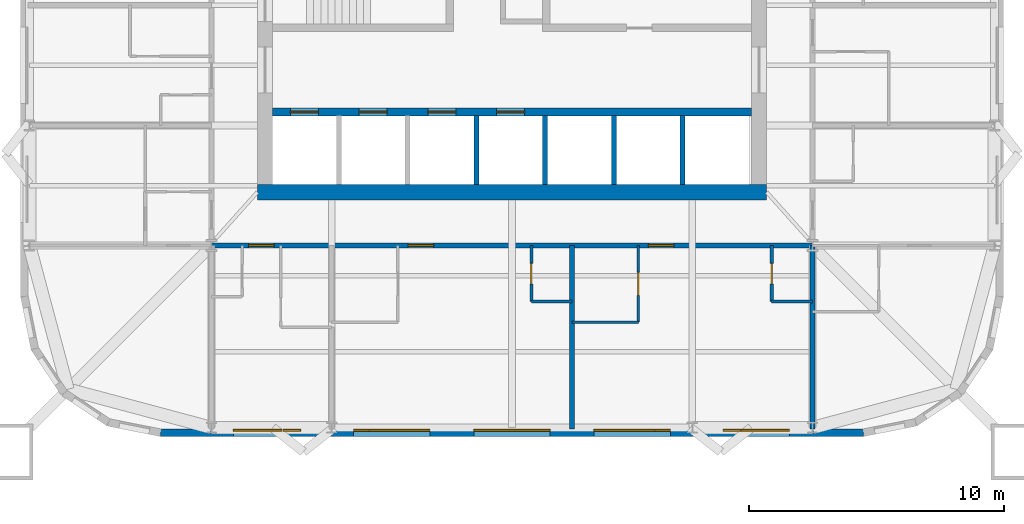
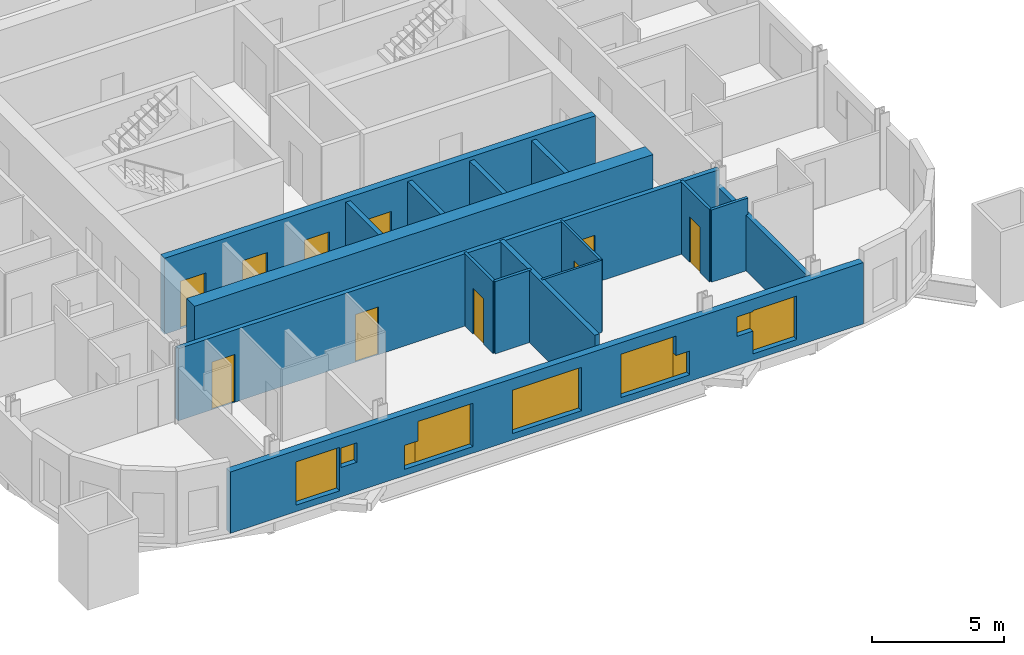
# One storey, part 3 of 10: 16 walls, 10 doors, 9 windows, 19 openings.
"""IFC4 building model written with IfcOpenShell, lengths in metres."""

from ifc_helpers import new_model, si_unit, direction, frame, frame_2d, origin, place, context, subcontext, project, spatial, rectangle, extrude, material, layer, layer_set, type_object, element, fill, save


model = new_model("IFC4")

# Units and contexts
model_context = context("Model", 3, precision=1e-05, world=origin(), true_north=direction((0.0, 1.0)))
body_context = subcontext(model_context, "Body", "Model", "MODEL_VIEW")
ifc_project = project(units=[si_unit("LENGTHUNIT", "METRE"), si_unit("AREAUNIT", "SQUARE_METRE"), si_unit("VOLUMEUNIT", "CUBIC_METRE"), si_unit("PLANEANGLEUNIT", "RADIAN"), si_unit("MASSUNIT", "GRAM", prefix="KILO")], contexts=[model_context])

# Site, building, storey
site_placement = place(None, origin())
site = spatial("IfcSite", under=ifc_project, at=site_placement, CompositionType="ELEMENT")
building_placement = place(site_placement, origin())
building = spatial("IfcBuilding", under=site, at=building_placement, Name="Turquesa Mirador Hotel Tower", CompositionType="ELEMENT")
storey_placement = place(building_placement, frame((0.0, 0.0, 179.300048828125)))
storey = spatial("IfcBuildingStorey", under=building, at=storey_placement, Name="L48", CompositionType="ELEMENT", Elevation=179.300048828125)

# Wall
ifc_material_1 = material(Name="Gypsum board on steel studs", Category="steel")
ifc_layer_1 = layer(ifc_material_1, 0.10009765625)
ifc_layer_set_1 = layer_set([ifc_layer_1], Name="BATHROOM WALL 100")
wall_type_1 = type_object("IfcWallType", Name="BATHROOM WALL 100", PredefinedType="PARTITIONING", material=ifc_layer_set_1)
wall_1_placement = place(storey_placement, frame((57.360107421875, 30.199951171875, 0.0), z_axis=(0.0, 0.0, 1.0), x_axis=(1.0, 0.0, 0.0)))
element("IfcWall", 1, at=wall_1_placement, inside=storey, type_object=wall_type_1, Name="Partition L48 012", PredefinedType="PARTITIONING", context=body_context, shape_type="SweptSolid", body=[
    extrude(rectangle(XDim=2.599853515625, YDim=0.10009765625, at=frame_2d((1.2998046875, 0.0))), origin(), (0.0, 0.0, 1.0), 3.329833984375),
])

# Wall, opening, door
wall_2_placement = place(storey_placement, frame((59.9599609375, 30.199951171875, 0.0), z_axis=(0.0, 0.0, 1.0), x_axis=(0.0, 1.0, 0.0)))
wall_2 = element("IfcWall", 2, at=wall_2_placement, inside=storey, type_object=wall_type_1, Name="Partition L48 088", PredefinedType="PARTITIONING", context=body_context, shape_type="SweptSolid", body=[
    extrude(rectangle(XDim=3.0, YDim=0.10009765625, at=frame_2d((1.5, 0.0))), origin(), (0.0, 0.0, 1.0), 3.329833984375),
])
opening_1_placement = place(wall_2_placement, frame((1.050048828125, 0.0, 0.0)))
opening_1 = element("IfcOpeningElement", 3, at=opening_1_placement, cuts=wall_2, Name="Opening D02", PredefinedType="OPENING", context=body_context, shape_type="SweptSolid", body=[
    extrude(rectangle(XDim=0.89990234375, YDim=2.10009765625, at=frame_2d((0.449951171875, 1.050048828125))), frame((0.0, 0.06005859375, 0.0), z_axis=(0.0, -1.0, 0.0), x_axis=(1.0, 0.0, 0.0)), (0.0, 0.0, 1.0), 0.1201171875),
])
ifc_material_2 = material(Name="Timber veneered door", Category="wood")
door_type_1 = type_object("IfcDoorType", Name="DOOR 900X2100 EN-SUITE", OperationType="SINGLE_SWING_RIGHT", PredefinedType="DOOR", material=ifc_material_2)
door_1_placement = place(opening_1_placement, origin())
door_1 = element("IfcDoor", 4, at=door_1_placement, inside=storey, type_object=door_type_1, Name="Door 4808B", OperationType="SINGLE_SWING_RIGHT", OverallHeight=2.10009765625, OverallWidth=0.89990234375, PredefinedType="DOOR", context=body_context, shape_type="SweptSolid", body=[
    extrude(rectangle(XDim=0.89990234375, YDim=2.10009765625, at=frame_2d((0.449951171875, 1.050048828125))), frame((0.0, 0.02490234375, 0.0), z_axis=(0.0, -1.0, 0.0), x_axis=(1.0, 0.0, 0.0)), (0.0, 0.0, 1.0), 0.050048828125),
])
fill(opening_1, door_1)

# Wall, openings, doors
ifc_material_3 = material(Name="Concrete C50/60", Category="concrete")
ifc_layer_2 = layer(ifc_material_3, 0.300048828125)
ifc_layer_set_2 = layer_set([ifc_layer_2], Name="CORE INNER WALL 300")
wall_type_2 = type_object("IfcWallType", Name="CORE INNER WALL 300", PredefinedType="SHEAR", material=ifc_layer_set_2)
wall_3_placement = place(storey_placement, frame((45.60009765625, 38.449951171875, 0.0), z_axis=(0.0, 0.0, 1.0), x_axis=(1.0, 0.0, 0.0)))
wall_3 = element("IfcWall", 5, at=wall_3_placement, inside=storey, type_object=wall_type_2, Name="Core wall SL", PredefinedType="SHEAR", context=body_context, shape_type="SweptSolid", body=[
    extrude(rectangle(XDim=18.7998046875, YDim=0.300048828125, at=frame_2d((9.39990234375, 0.0))), origin(), (0.0, 0.0, 1.0), 3.5),
])
opening_2_placement = place(wall_3_placement, frame((0.699951171875, 0.0, 0.0)))
opening_2 = element("IfcOpeningElement", 6, at=opening_2_placement, cuts=wall_3, Name="Opening LD", PredefinedType="OPENING", context=body_context, shape_type="SweptSolid", body=[
    extrude(rectangle(XDim=1.10009765625, YDim=2.199951171875, at=frame_2d((0.550048828125, 1.10009765625))), frame((0.0, 0.159912109375, 0.0), z_axis=(0.0, -1.0, 0.0), x_axis=(1.0, 0.0, 0.0)), (0.0, 0.0, 1.0), 0.320068359375),
])
opening_3_placement = place(wall_3_placement, frame((3.39990234375, 0.0, 0.0)))
opening_3 = element("IfcOpeningElement", 7, at=opening_3_placement, cuts=wall_3, Name="Opening LD", PredefinedType="OPENING", context=body_context, shape_type="SweptSolid", body=[
    extrude(rectangle(XDim=1.10009765625, YDim=2.199951171875, at=frame_2d((0.550048828125, 1.10009765625))), frame((0.0, 0.159912109375, 0.0), z_axis=(0.0, -1.0, 0.0), x_axis=(1.0, 0.0, 0.0)), (0.0, 0.0, 1.0), 0.320068359375),
])
opening_4_placement = place(wall_3_placement, frame((6.10009765625, 0.0, 0.0)))
opening_4 = element("IfcOpeningElement", 8, at=opening_4_placement, cuts=wall_3, Name="Opening LD", PredefinedType="OPENING", context=body_context, shape_type="SweptSolid", body=[
    extrude(rectangle(XDim=1.10009765625, YDim=2.199951171875, at=frame_2d((0.550048828125, 1.10009765625))), frame((0.0, 0.159912109375, 0.0), z_axis=(0.0, -1.0, 0.0), x_axis=(1.0, 0.0, 0.0)), (0.0, 0.0, 1.0), 0.320068359375),
])
opening_5_placement = place(wall_3_placement, frame((8.800048828125, 0.0, 0.0)))
opening_5 = element("IfcOpeningElement", 9, at=opening_5_placement, cuts=wall_3, Name="Opening LD", PredefinedType="OPENING", context=body_context, shape_type="SweptSolid", body=[
    extrude(rectangle(XDim=1.10009765625, YDim=2.199951171875, at=frame_2d((0.550048828125, 1.10009765625))), frame((0.0, 0.159912109375, 0.0), z_axis=(0.0, -1.0, 0.0), x_axis=(1.0, 0.0, 0.0)), (0.0, 0.0, 1.0), 0.320068359375),
])
ifc_material_4 = material(Name="Stainless steel lift landing door", Category="steel")
door_type_2 = type_object("IfcDoorType", Name="LIFT LANDING DOOR 1100X2200", OperationType="SLIDING_TO_LEFT", PredefinedType="DOOR", material=ifc_material_4)
door_2_placement = place(opening_2_placement, origin())
door_2 = element("IfcDoor", 10, at=door_2_placement, inside=storey, type_object=door_type_2, Name="Lift B1 landing door", OperationType="SLIDING_TO_LEFT", OverallHeight=2.199951171875, OverallWidth=1.10009765625, PredefinedType="DOOR", context=body_context, shape_type="SweptSolid", body=[
    extrude(rectangle(XDim=1.10009765625, YDim=2.199951171875, at=frame_2d((0.550048828125, 1.10009765625))), frame((0.0, 0.02490234375, 0.0), z_axis=(0.0, -1.0, 0.0), x_axis=(1.0, 0.0, 0.0)), (0.0, 0.0, 1.0), 0.050048828125),
])
fill(opening_2, door_2)
door_3_placement = place(opening_3_placement, origin())
door_3 = element("IfcDoor", 11, at=door_3_placement, inside=storey, type_object=door_type_2, Name="Lift B2 landing door", OperationType="SLIDING_TO_LEFT", OverallHeight=2.199951171875, OverallWidth=1.10009765625, PredefinedType="DOOR", context=body_context, shape_type="SweptSolid", body=[
    extrude(rectangle(XDim=1.10009765625, YDim=2.199951171875, at=frame_2d((0.550048828125, 1.10009765625))), frame((0.0, 0.02490234375, 0.0), z_axis=(0.0, -1.0, 0.0), x_axis=(1.0, 0.0, 0.0)), (0.0, 0.0, 1.0), 0.050048828125),
])
fill(opening_3, door_3)
door_4_placement = place(opening_4_placement, origin())
door_4 = element("IfcDoor", 12, at=door_4_placement, inside=storey, type_object=door_type_2, Name="Lift B3 landing door", OperationType="SLIDING_TO_LEFT", OverallHeight=2.199951171875, OverallWidth=1.10009765625, PredefinedType="DOOR", context=body_context, shape_type="SweptSolid", body=[
    extrude(rectangle(XDim=1.10009765625, YDim=2.199951171875, at=frame_2d((0.550048828125, 1.10009765625))), frame((0.0, 0.02490234375, 0.0), z_axis=(0.0, -1.0, 0.0), x_axis=(1.0, 0.0, 0.0)), (0.0, 0.0, 1.0), 0.050048828125),
])
fill(opening_4, door_4)
door_5_placement = place(opening_5_placement, origin())
door_5 = element("IfcDoor", 13, at=door_5_placement, inside=storey, type_object=door_type_2, Name="Lift B4 landing door", OperationType="SLIDING_TO_LEFT", OverallHeight=2.199951171875, OverallWidth=1.10009765625, PredefinedType="DOOR", context=body_context, shape_type="SweptSolid", body=[
    extrude(rectangle(XDim=1.10009765625, YDim=2.199951171875, at=frame_2d((0.550048828125, 1.10009765625))), frame((0.0, 0.02490234375, 0.0), z_axis=(0.0, -1.0, 0.0), x_axis=(1.0, 0.0, 0.0)), (0.0, 0.0, 1.0), 0.050048828125),
])
fill(opening_5, door_5)

# Wall
ifc_material_5 = material(Name="Concrete C50/60", Category="concrete")
ifc_layer_3 = layer(ifc_material_5, 0.60009765625)
ifc_layer_set_3 = layer_set([ifc_layer_3], Name="CORE WALL 600")
wall_type_3 = type_object("IfcWallType", Name="CORE WALL 600", PredefinedType="SHEAR", material=ifc_layer_set_3)
wall_4_placement = place(storey_placement, frame((45.0, 35.300048828125, 0.0), z_axis=(0.0, 0.0, 1.0), x_axis=(1.0, 0.0, 0.0)))
element("IfcWall", 14, at=wall_4_placement, inside=storey, type_object=wall_type_3, Name="Core wall S", PredefinedType="SHEAR", context=body_context, shape_type="SweptSolid", body=[
    extrude(rectangle(XDim=20.0, YDim=0.60009765625, at=frame_2d((10.0, 0.0))), origin(), (0.0, 0.0, 1.0), 3.5),
])

# Wall, openings, doors
ifc_material_6 = material(Name="Fire-rated gypsum board on steel studs", Category="steel")
ifc_layer_4 = layer(ifc_material_6, 0.199951171875)
ifc_layer_set_4 = layer_set([ifc_layer_4], Name="CORRIDOR WALL 200")
wall_type_4 = type_object("IfcWallType", Name="CORRIDOR WALL 200", PredefinedType="PARTITIONING", material=ifc_layer_set_4)
wall_5_placement = place(storey_placement, frame((43.199951171875, 33.199951171875, 0.0), z_axis=(0.0, 0.0, 1.0), x_axis=(1.0, 0.0, 0.0)))
wall_5 = element("IfcWall", 15, at=wall_5_placement, inside=storey, type_object=wall_type_4, Name="Partition L48 004", PredefinedType="PARTITIONING", context=body_context, shape_type="SweptSolid", body=[
    extrude(rectangle(XDim=23.60009765625, YDim=0.199951171875, at=frame_2d((11.800048828125, 0.0))), origin(), (0.0, 0.0, 1.0), 3.329833984375),
])
opening_6_placement = place(wall_5_placement, frame((1.4599609375, 0.0, 0.0)))
opening_6 = element("IfcOpeningElement", 16, at=opening_6_placement, cuts=wall_5, Name="Opening D01", PredefinedType="OPENING", context=body_context, shape_type="SweptSolid", body=[
    extrude(rectangle(XDim=1.0, YDim=2.199951171875, at=frame_2d((0.5, 1.10009765625))), frame((0.0, 0.10986328125, 0.0), z_axis=(0.0, -1.0, 0.0), x_axis=(1.0, 0.0, 0.0)), (0.0, 0.0, 1.0), 0.219970703125),
])
opening_7_placement = place(wall_5_placement, frame((7.719970703125, 0.0, 0.0)))
opening_7 = element("IfcOpeningElement", 17, at=opening_7_placement, cuts=wall_5, Name="Opening D01", PredefinedType="OPENING", context=body_context, shape_type="SweptSolid", body=[
    extrude(rectangle(XDim=1.0, YDim=2.199951171875, at=frame_2d((0.5, 1.10009765625))), frame((0.0, 0.10986328125, 0.0), z_axis=(0.0, -1.0, 0.0), x_axis=(1.0, 0.0, 0.0)), (0.0, 0.0, 1.0), 0.219970703125),
])
opening_8_placement = place(wall_5_placement, frame((17.159912109375, 0.0, 0.0)))
opening_8 = element("IfcOpeningElement", 18, at=opening_8_placement, cuts=wall_5, Name="Opening D01", PredefinedType="OPENING", context=body_context, shape_type="SweptSolid", body=[
    extrude(rectangle(XDim=1.0, YDim=2.199951171875, at=frame_2d((0.5, 1.10009765625))), frame((0.0, 0.10986328125, 0.0), z_axis=(0.0, -1.0, 0.0), x_axis=(1.0, 0.0, 0.0)), (0.0, 0.0, 1.0), 0.219970703125),
])
ifc_material_7 = material(Name="Timber veneered fire door", Category="wood")
door_type_3 = type_object("IfcDoorType", Name="DOOR 1000X2200 GUEST ENTRY", OperationType="SINGLE_SWING_LEFT", PredefinedType="DOOR", material=ifc_material_7)
door_6_placement = place(opening_6_placement, origin())
door_6 = element("IfcDoor", 19, at=door_6_placement, inside=storey, type_object=door_type_3, Name="Door 4806", OperationType="SINGLE_SWING_LEFT", OverallHeight=2.199951171875, OverallWidth=1.0, PredefinedType="DOOR", context=body_context, shape_type="SweptSolid", body=[
    extrude(rectangle(XDim=1.0, YDim=2.199951171875, at=frame_2d((0.5, 1.10009765625))), frame((0.0, 0.02490234375, 0.0), z_axis=(0.0, -1.0, 0.0), x_axis=(1.0, 0.0, 0.0)), (0.0, 0.0, 1.0), 0.050048828125),
])
fill(opening_6, door_6)
door_7_placement = place(opening_7_placement, origin())
door_7 = element("IfcDoor", 20, at=door_7_placement, inside=storey, type_object=door_type_3, Name="Door 4807", OperationType="SINGLE_SWING_LEFT", OverallHeight=2.199951171875, OverallWidth=1.0, PredefinedType="DOOR", context=body_context, shape_type="SweptSolid", body=[
    extrude(rectangle(XDim=1.0, YDim=2.199951171875, at=frame_2d((0.5, 1.10009765625))), frame((0.0, 0.02490234375, 0.0), z_axis=(0.0, -1.0, 0.0), x_axis=(1.0, 0.0, 0.0)), (0.0, 0.0, 1.0), 0.050048828125),
])
fill(opening_7, door_7)
door_8_placement = place(opening_8_placement, origin())
door_8 = element("IfcDoor", 21, at=door_8_placement, inside=storey, type_object=door_type_3, Name="Door 4808", OperationType="SINGLE_SWING_LEFT", OverallHeight=2.199951171875, OverallWidth=1.0, PredefinedType="DOOR", context=body_context, shape_type="SweptSolid", body=[
    extrude(rectangle(XDim=1.0, YDim=2.199951171875, at=frame_2d((0.5, 1.10009765625))), frame((0.0, 0.02490234375, 0.0), z_axis=(0.0, -1.0, 0.0), x_axis=(1.0, 0.0, 0.0)), (0.0, 0.0, 1.0), 0.050048828125),
])
fill(opening_8, door_8)

# Wall, openings, windows
ifc_material_8 = material(Name="Limestone cladding on concrete block", Category="masonry")
ifc_layer_5 = layer(ifc_material_8, 0.300048828125)
ifc_layer_set_5 = layer_set([ifc_layer_5], Name="FACADE WALL 300 STONE SCREEN")
wall_type_5 = type_object("IfcWallType", Name="FACADE WALL 300 STONE SCREEN", PredefinedType="SOLIDWALL", material=ifc_layer_set_5)
wall_6_placement = place(storey_placement, frame((41.199951171875, 25.85009765625, 0.0), z_axis=(0.0, 0.0, 1.0), x_axis=(1.0, 0.0, 0.0)))
wall_6 = element("IfcWall", 22, at=wall_6_placement, inside=storey, type_object=wall_type_5, Name="Facade wall L48 19", PredefinedType="SOLIDWALL", context=body_context, shape_type="SweptSolid", body=[
    extrude(rectangle(XDim=27.60009765625, YDim=0.300048828125, at=frame_2d((13.800048828125, 0.0))), origin(), (0.0, 0.0, 1.0), 2.829833984375),
])
opening_9_placement = place(wall_6_placement, frame((2.860107421875, 0.0, 0.300048828125)))
opening_9 = element("IfcOpeningElement", 23, at=opening_9_placement, cuts=wall_6, Name="Opening WN49", PredefinedType="OPENING", context=body_context, shape_type="SweptSolid", body=[
    extrude(rectangle(XDim=1.89990234375, YDim=2.0, at=frame_2d((0.949951171875, 1.0))), frame((0.0, 0.159912109375, 0.0), z_axis=(0.0, -1.0, 0.0), x_axis=(1.0, 0.0, 0.0)), (0.0, 0.0, 1.0), 0.320068359375),
])
opening_10_placement = place(wall_6_placement, frame((8.179931640625, 0.0, 0.300048828125)))
opening_10 = element("IfcOpeningElement", 24, at=opening_10_placement, cuts=wall_6, Name="Opening WN2", PredefinedType="OPENING", context=body_context, shape_type="SweptSolid", body=[
    extrude(rectangle(XDim=2.39990234375, YDim=2.0, at=frame_2d((1.199951171875, 1.0))), frame((0.0, 0.159912109375, 0.0), z_axis=(0.0, -1.0, 0.0), x_axis=(1.0, 0.0, 0.0)), (0.0, 0.0, 1.0), 0.320068359375),
])
opening_11_placement = place(wall_6_placement, frame((12.300048828125, 0.0, 0.300048828125)))
opening_11 = element("IfcOpeningElement", 25, at=opening_11_placement, cuts=wall_6, Name="Opening WN1", PredefinedType="OPENING", context=body_context, shape_type="SweptSolid", body=[
    extrude(rectangle(XDim=3.0, YDim=2.0, at=frame_2d((1.5, 1.0))), frame((0.0, 0.159912109375, 0.0), z_axis=(0.0, -1.0, 0.0), x_axis=(1.0, 0.0, 0.0)), (0.0, 0.0, 1.0), 0.320068359375),
])
opening_12_placement = place(wall_6_placement, frame((17.02001953125, 0.0, 0.300048828125)))
opening_12 = element("IfcOpeningElement", 26, at=opening_12_placement, cuts=wall_6, Name="Opening WN2", PredefinedType="OPENING", context=body_context, shape_type="SweptSolid", body=[
    extrude(rectangle(XDim=2.39990234375, YDim=2.0, at=frame_2d((1.199951171875, 1.0))), frame((0.0, 0.159912109375, 0.0), z_axis=(0.0, -1.0, 0.0), x_axis=(1.0, 0.0, 0.0)), (0.0, 0.0, 1.0), 0.320068359375),
])
opening_13_placement = place(wall_6_placement, frame((22.7900390625, 0.0, 0.300048828125)))
opening_13 = element("IfcOpeningElement", 27, at=opening_13_placement, cuts=wall_6, Name="Opening WN49", PredefinedType="OPENING", context=body_context, shape_type="SweptSolid", body=[
    extrude(rectangle(XDim=1.89990234375, YDim=2.0, at=frame_2d((0.949951171875, 1.0))), frame((0.0, 0.159912109375, 0.0), z_axis=(0.0, -1.0, 0.0), x_axis=(1.0, 0.0, 0.0)), (0.0, 0.0, 1.0), 0.320068359375),
])
opening_14_placement = place(wall_6_placement, frame((4.81005859375, 0.0, 1.35009765625)))
opening_14 = element("IfcOpeningElement", 28, at=opening_14_placement, cuts=wall_6, Name="Opening WN31", PredefinedType="OPENING", context=body_context, shape_type="SweptSolid", body=[
    extrude(rectangle(XDim=0.699951171875, YDim=0.89990234375, at=frame_2d((0.35009765625, 0.449951171875))), frame((0.0, 0.159912109375, 0.0), z_axis=(0.0, -1.0, 0.0), x_axis=(1.0, 0.0, 0.0)), (0.0, 0.0, 1.0), 0.320068359375),
])
opening_15_placement = place(wall_6_placement, frame((7.580078125, 0.0, 0.300048828125)))
opening_15 = element("IfcOpeningElement", 29, at=opening_15_placement, cuts=wall_6, Name="Opening WN30", PredefinedType="OPENING", context=body_context, shape_type="SweptSolid", body=[
    extrude(rectangle(XDim=0.60009765625, YDim=1.10009765625, at=frame_2d((0.300048828125, 0.550048828125))), frame((0.0, 0.159912109375, 0.0), z_axis=(0.0, -1.0, 0.0), x_axis=(1.0, 0.0, 0.0)), (0.0, 0.0, 1.0), 0.320068359375),
])
opening_16_placement = place(wall_6_placement, frame((19.419921875, 0.0, 0.300048828125)))
opening_16 = element("IfcOpeningElement", 30, at=opening_16_placement, cuts=wall_6, Name="Opening WN30", PredefinedType="OPENING", context=body_context, shape_type="SweptSolid", body=[
    extrude(rectangle(XDim=0.60009765625, YDim=1.10009765625, at=frame_2d((0.300048828125, 0.550048828125))), frame((0.0, 0.159912109375, 0.0), z_axis=(0.0, -1.0, 0.0), x_axis=(1.0, 0.0, 0.0)), (0.0, 0.0, 1.0), 0.320068359375),
])
opening_17_placement = place(wall_6_placement, frame((22.090087890625, 0.0, 1.35009765625)))
opening_17 = element("IfcOpeningElement", 31, at=opening_17_placement, cuts=wall_6, Name="Opening WN31", PredefinedType="OPENING", context=body_context, shape_type="SweptSolid", body=[
    extrude(rectangle(XDim=0.699951171875, YDim=0.89990234375, at=frame_2d((0.35009765625, 0.449951171875))), frame((0.0, 0.159912109375, 0.0), z_axis=(0.0, -1.0, 0.0), x_axis=(1.0, 0.0, 0.0)), (0.0, 0.0, 1.0), 0.320068359375),
])
ifc_material_9 = material(Name="Ceramic-fritted laminated glass", Category="glass")
window_type_1 = type_object("IfcWindowType", Name="FRITTED WINDOW 1900X2000", PartitioningType="DOUBLE_PANEL_HORIZONTAL", PredefinedType="WINDOW", material=ifc_material_9)
window_1_placement = place(opening_9_placement, origin())
window_1 = element("IfcWindow", 32, at=window_1_placement, inside=storey, type_object=window_type_1, Name="Window L48", OverallHeight=2.0, OverallWidth=1.89990234375, PartitioningType="SINGLE_PANEL", PredefinedType="WINDOW", context=body_context, shape_type="SweptSolid", body=[
    extrude(rectangle(XDim=1.89990234375, YDim=2.0, at=frame_2d((0.949951171875, 1.0))), frame((0.0, 0.130126953125, 0.0), z_axis=(0.0, -1.0, 0.0), x_axis=(1.0, 0.0, 0.0)), (0.0, 0.0, 1.0), 0.06005859375),
])
fill(opening_9, window_1)
window_2_placement = place(opening_13_placement, origin())
window_2 = element("IfcWindow", 33, at=window_2_placement, inside=storey, type_object=window_type_1, Name="Window L48", OverallHeight=2.0, OverallWidth=1.89990234375, PartitioningType="SINGLE_PANEL", PredefinedType="WINDOW", context=body_context, shape_type="SweptSolid", body=[
    extrude(rectangle(XDim=1.89990234375, YDim=2.0, at=frame_2d((0.949951171875, 1.0))), frame((0.0, 0.130126953125, 0.0), z_axis=(0.0, -1.0, 0.0), x_axis=(1.0, 0.0, 0.0)), (0.0, 0.0, 1.0), 0.06005859375),
])
fill(opening_13, window_2)
ifc_material_10 = material(Name="Ceramic-fritted laminated glass", Category="glass")
window_type_2 = type_object("IfcWindowType", Name="FRITTED WINDOW 2400X2000", PartitioningType="DOUBLE_PANEL_HORIZONTAL", PredefinedType="WINDOW", material=ifc_material_10)
window_3_placement = place(opening_10_placement, origin())
window_3 = element("IfcWindow", 34, at=window_3_placement, inside=storey, type_object=window_type_2, Name="Window L48", OverallHeight=2.0, OverallWidth=2.39990234375, PartitioningType="SINGLE_PANEL", PredefinedType="WINDOW", context=body_context, shape_type="SweptSolid", body=[
    extrude(rectangle(XDim=2.39990234375, YDim=2.0, at=frame_2d((1.199951171875, 1.0))), frame((0.0, 0.130126953125, 0.0), z_axis=(0.0, -1.0, 0.0), x_axis=(1.0, 0.0, 0.0)), (0.0, 0.0, 1.0), 0.06005859375),
])
fill(opening_10, window_3)
window_4_placement = place(opening_12_placement, origin())
window_4 = element("IfcWindow", 35, at=window_4_placement, inside=storey, type_object=window_type_2, Name="Window L48", OverallHeight=2.0, OverallWidth=2.39990234375, PartitioningType="SINGLE_PANEL", PredefinedType="WINDOW", context=body_context, shape_type="SweptSolid", body=[
    extrude(rectangle(XDim=2.39990234375, YDim=2.0, at=frame_2d((1.199951171875, 1.0))), frame((0.0, 0.130126953125, 0.0), z_axis=(0.0, -1.0, 0.0), x_axis=(1.0, 0.0, 0.0)), (0.0, 0.0, 1.0), 0.06005859375),
])
fill(opening_12, window_4)
ifc_material_11 = material(Name="Ceramic-fritted laminated glass", Category="glass")
window_type_3 = type_object("IfcWindowType", Name="FRITTED WINDOW 3000X2000", PartitioningType="DOUBLE_PANEL_HORIZONTAL", PredefinedType="WINDOW", material=ifc_material_11)
window_5_placement = place(opening_11_placement, origin())
window_5 = element("IfcWindow", 36, at=window_5_placement, inside=storey, type_object=window_type_3, Name="Window L48", OverallHeight=2.0, OverallWidth=3.0, PartitioningType="SINGLE_PANEL", PredefinedType="WINDOW", context=body_context, shape_type="SweptSolid", body=[
    extrude(rectangle(XDim=3.0, YDim=2.0, at=frame_2d((1.5, 1.0))), frame((0.0, 0.130126953125, 0.0), z_axis=(0.0, -1.0, 0.0), x_axis=(1.0, 0.0, 0.0)), (0.0, 0.0, 1.0), 0.06005859375),
])
fill(opening_11, window_5)
ifc_material_12 = material(Name="Ceramic-fritted laminated glass", Category="glass")
window_type_4 = type_object("IfcWindowType", Name="FRITTED WINDOW 600X1100", PartitioningType="DOUBLE_PANEL_HORIZONTAL", PredefinedType="WINDOW", material=ifc_material_12)
window_6_placement = place(opening_15_placement, origin())
window_6 = element("IfcWindow", 37, at=window_6_placement, inside=storey, type_object=window_type_4, Name="Window L48", OverallHeight=1.10009765625, OverallWidth=0.60009765625, PartitioningType="SINGLE_PANEL", PredefinedType="WINDOW", context=body_context, shape_type="SweptSolid", body=[
    extrude(rectangle(XDim=0.60009765625, YDim=1.10009765625, at=frame_2d((0.300048828125, 0.550048828125))), frame((0.0, 0.130126953125, 0.0), z_axis=(0.0, -1.0, 0.0), x_axis=(1.0, 0.0, 0.0)), (0.0, 0.0, 1.0), 0.06005859375),
])
fill(opening_15, window_6)
window_7_placement = place(opening_16_placement, origin())
window_7 = element("IfcWindow", 38, at=window_7_placement, inside=storey, type_object=window_type_4, Name="Window L48", OverallHeight=1.10009765625, OverallWidth=0.60009765625, PartitioningType="SINGLE_PANEL", PredefinedType="WINDOW", context=body_context, shape_type="SweptSolid", body=[
    extrude(rectangle(XDim=0.60009765625, YDim=1.10009765625, at=frame_2d((0.300048828125, 0.550048828125))), frame((0.0, 0.130126953125, 0.0), z_axis=(0.0, -1.0, 0.0), x_axis=(1.0, 0.0, 0.0)), (0.0, 0.0, 1.0), 0.06005859375),
])
fill(opening_16, window_7)
ifc_material_13 = material(Name="Ceramic-fritted laminated glass", Category="glass")
window_type_5 = type_object("IfcWindowType", Name="FRITTED WINDOW 700X900", PartitioningType="DOUBLE_PANEL_HORIZONTAL", PredefinedType="WINDOW", material=ifc_material_13)
window_8_placement = place(opening_14_placement, origin())
window_8 = element("IfcWindow", 39, at=window_8_placement, inside=storey, type_object=window_type_5, Name="Window L48", OverallHeight=0.89990234375, OverallWidth=0.699951171875, PartitioningType="SINGLE_PANEL", PredefinedType="WINDOW", context=body_context, shape_type="SweptSolid", body=[
    extrude(rectangle(XDim=0.699951171875, YDim=0.89990234375, at=frame_2d((0.35009765625, 0.449951171875))), frame((0.0, 0.130126953125, 0.0), z_axis=(0.0, -1.0, 0.0), x_axis=(1.0, 0.0, 0.0)), (0.0, 0.0, 1.0), 0.06005859375),
])
fill(opening_14, window_8)
window_9_placement = place(opening_17_placement, origin())
window_9 = element("IfcWindow", 40, at=window_9_placement, inside=storey, type_object=window_type_5, Name="Window L48", OverallHeight=0.89990234375, OverallWidth=0.699951171875, PartitioningType="SINGLE_PANEL", PredefinedType="WINDOW", context=body_context, shape_type="SweptSolid", body=[
    extrude(rectangle(XDim=0.699951171875, YDim=0.89990234375, at=frame_2d((0.35009765625, 0.449951171875))), frame((0.0, 0.130126953125, 0.0), z_axis=(0.0, -1.0, 0.0), x_axis=(1.0, 0.0, 0.0)), (0.0, 0.0, 1.0), 0.06005859375),
])
fill(opening_17, window_9)

# Walls
ifc_material_14 = material(Name="Fire-rated gypsum shaft wall on steel studs", Category="steel")
ifc_layer_6 = layer(ifc_material_14, 0.199951171875)
ifc_layer_set_6 = layer_set([ifc_layer_6], Name="LIFT SHAFT DIVIDER 200")
wall_type_6 = type_object("IfcWallType", Name="LIFT SHAFT DIVIDER 200", PredefinedType="PARTITIONING", material=ifc_layer_set_6)
for number, where, z_axis, x_axis, name in (
    (41, (53.60009765625, 35.60009765625, 0.0), (0.0, 0.0, 1.0), (0.0, 1.0, 0.0), "Lift shaft divider"),
    (42, (56.300048828125, 35.60009765625, 0.0), (0.0, 0.0, 1.0), (0.0, 1.0, 0.0), "Lift shaft divider"),
    (43, (59.0, 35.60009765625, 0.0), (0.0, 0.0, 1.0), (0.0, 1.0, 0.0), "Lift shaft divider"),
    (44, (61.699951171875, 35.60009765625, 0.0), (0.0, 0.0, 1.0), (0.0, 1.0, 0.0), "Lift shaft divider"),
):
    element("IfcWall", number, at=place(storey_placement, frame(where, z_axis=z_axis, x_axis=x_axis)), inside=storey, type_object=wall_type_6, Name=name, PredefinedType="PARTITIONING", context=body_context, shape_type="SweptSolid", body=[
        extrude(rectangle(XDim=2.699951171875, YDim=0.199951171875, at=frame_2d((1.35009765625, 0.0))), origin(), (0.0, 0.0, 1.0), 3.329833984375),
    ])
ifc_material_15 = material(Name="Fire-rated gypsum board on steel studs", Category="steel")
ifc_layer_7 = layer(ifc_material_15, 0.199951171875)
ifc_layer_set_7 = layer_set([ifc_layer_7], Name="PARTY WALL 200")
wall_type_7 = type_object("IfcWallType", Name="PARTY WALL 200", PredefinedType="PARTITIONING", material=ifc_layer_set_7)
wall_7_placement = place(storey_placement, frame((66.800048828125, 26.0, 0.0), z_axis=(0.0, 0.0, 1.0), x_axis=(0.0, 1.0, 0.0)))
element("IfcWall", 45, at=wall_7_placement, inside=storey, type_object=wall_type_7, Name="Partition L48 074", PredefinedType="PARTITIONING", context=body_context, shape_type="SweptSolid", body=[
    extrude(rectangle(XDim=7.199951171875, YDim=0.199951171875, at=frame_2d((3.60009765625, 0.0))), origin(), (0.0, 0.0, 1.0), 2.572998046875),
])
wall_8_placement = place(storey_placement, frame((57.360107421875, 26.0, 0.0), z_axis=(0.0, 0.0, 1.0), x_axis=(0.0, 1.0, 0.0)))
element("IfcWall", 46, at=wall_8_placement, inside=storey, type_object=wall_type_7, Name="Partition L48 085", PredefinedType="PARTITIONING", context=body_context, shape_type="SweptSolid", body=[
    extrude(rectangle(XDim=7.199951171875, YDim=0.199951171875, at=frame_2d((3.60009765625, 0.0))), origin(), (0.0, 0.0, 1.0), 3.329833984375),
])
ifc_material_16 = material(Name="Acoustic gypsum board on steel studs", Category="steel")
ifc_layer_8 = layer(ifc_material_16, 0.125)
ifc_layer_set_8 = layer_set([ifc_layer_8], Name="SUITE PARTITION 125")
wall_type_8 = type_object("IfcWallType", Name="SUITE PARTITION 125", PredefinedType="PARTITIONING", material=ifc_layer_set_8)
for number, where, z_axis, x_axis, name in (
    (47, (55.760009765625, 31.0, 0.0), (0.0, 0.0, 1.0), (1.0, 0.0, 0.0), "Partition L48 008"),
    (48, (65.199951171875, 31.0, 0.0), (0.0, 0.0, 1.0), (1.0, 0.0, 0.0), "Partition L48 009"),
):
    element("IfcWall", number, at=place(storey_placement, frame(where, z_axis=z_axis, x_axis=x_axis)), inside=storey, type_object=wall_type_8, Name=name, PredefinedType="PARTITIONING", context=body_context, shape_type="SweptSolid", body=[
        extrude(rectangle(XDim=1.60009765625, YDim=0.125, at=frame_2d((0.800048828125, 0.0))), origin(), (0.0, 0.0, 1.0), 3.329833984375),
    ])

# Wall, opening, door
wall_9_placement = place(storey_placement, frame((55.760009765625, 31.0, 0.0), z_axis=(0.0, 0.0, 1.0), x_axis=(0.0, 1.0, 0.0)))
wall_9 = element("IfcWall", 49, at=wall_9_placement, inside=storey, type_object=wall_type_8, Name="Partition L48 071", PredefinedType="PARTITIONING", context=body_context, shape_type="SweptSolid", body=[
    extrude(rectangle(XDim=2.199951171875, YDim=0.125, at=frame_2d((1.10009765625, 0.0))), origin(), (0.0, 0.0, 1.0), 3.329833984375),
])
opening_18_placement = place(wall_9_placement, frame((0.699951171875, 0.0, 0.0)))
opening_18 = element("IfcOpeningElement", 50, at=opening_18_placement, cuts=wall_9, Name="Opening D20", PredefinedType="OPENING", context=body_context, shape_type="SweptSolid", body=[
    extrude(rectangle(XDim=0.800048828125, YDim=2.10009765625, at=frame_2d((0.39990234375, 1.050048828125))), frame((0.0, 0.072509765625, 0.0), z_axis=(0.0, -1.0, 0.0), x_axis=(1.0, 0.0, 0.0)), (0.0, 0.0, 1.0), 0.14501953125),
])
ifc_material_17 = material(Name="Timber veneered sliding door", Category="wood")
door_type_4 = type_object("IfcDoorType", Name="DOOR 800X2100 WARDROBE", OperationType="SLIDING_TO_LEFT", PredefinedType="DOOR", material=ifc_material_17)
door_9_placement = place(opening_18_placement, origin())
door_9 = element("IfcDoor", 51, at=door_9_placement, inside=storey, type_object=door_type_4, Name="Door 4807W", OperationType="SLIDING_TO_LEFT", OverallHeight=2.10009765625, OverallWidth=0.800048828125, PredefinedType="DOOR", context=body_context, shape_type="SweptSolid", body=[
    extrude(rectangle(XDim=0.800048828125, YDim=2.10009765625, at=frame_2d((0.39990234375, 1.050048828125))), frame((0.0, 0.02490234375, 0.0), z_axis=(0.0, -1.0, 0.0), x_axis=(1.0, 0.0, 0.0)), (0.0, 0.0, 1.0), 0.050048828125),
])
fill(opening_18, door_9)

wall_10_placement = place(storey_placement, frame((65.199951171875, 31.0, 0.0), z_axis=(0.0, 0.0, 1.0), x_axis=(0.0, 1.0, 0.0)))
wall_10 = element("IfcWall", 52, at=wall_10_placement, inside=storey, type_object=wall_type_8, Name="Partition L48 072", PredefinedType="PARTITIONING", context=body_context, shape_type="SweptSolid", body=[
    extrude(rectangle(XDim=2.199951171875, YDim=0.125, at=frame_2d((1.10009765625, 0.0))), origin(), (0.0, 0.0, 1.0), 3.329833984375),
])
opening_19_placement = place(wall_10_placement, frame((0.699951171875, 0.0, 0.0)))
opening_19 = element("IfcOpeningElement", 53, at=opening_19_placement, cuts=wall_10, Name="Opening D20", PredefinedType="OPENING", context=body_context, shape_type="SweptSolid", body=[
    extrude(rectangle(XDim=0.800048828125, YDim=2.10009765625, at=frame_2d((0.39990234375, 1.050048828125))), frame((0.0, 0.072509765625, 0.0), z_axis=(0.0, -1.0, 0.0), x_axis=(1.0, 0.0, 0.0)), (0.0, 0.0, 1.0), 0.14501953125),
])
door_10_placement = place(opening_19_placement, origin())
door_10 = element("IfcDoor", 54, at=door_10_placement, inside=storey, type_object=door_type_4, Name="Door 4808W", OperationType="SLIDING_TO_LEFT", OverallHeight=2.10009765625, OverallWidth=0.800048828125, PredefinedType="DOOR", context=body_context, shape_type="SweptSolid", body=[
    extrude(rectangle(XDim=0.800048828125, YDim=2.10009765625, at=frame_2d((0.39990234375, 1.050048828125))), frame((0.0, 0.02490234375, 0.0), z_axis=(0.0, -1.0, 0.0), x_axis=(1.0, 0.0, 0.0)), (0.0, 0.0, 1.0), 0.050048828125),
])
fill(opening_19, door_10)

save(model, "model.ifc")
